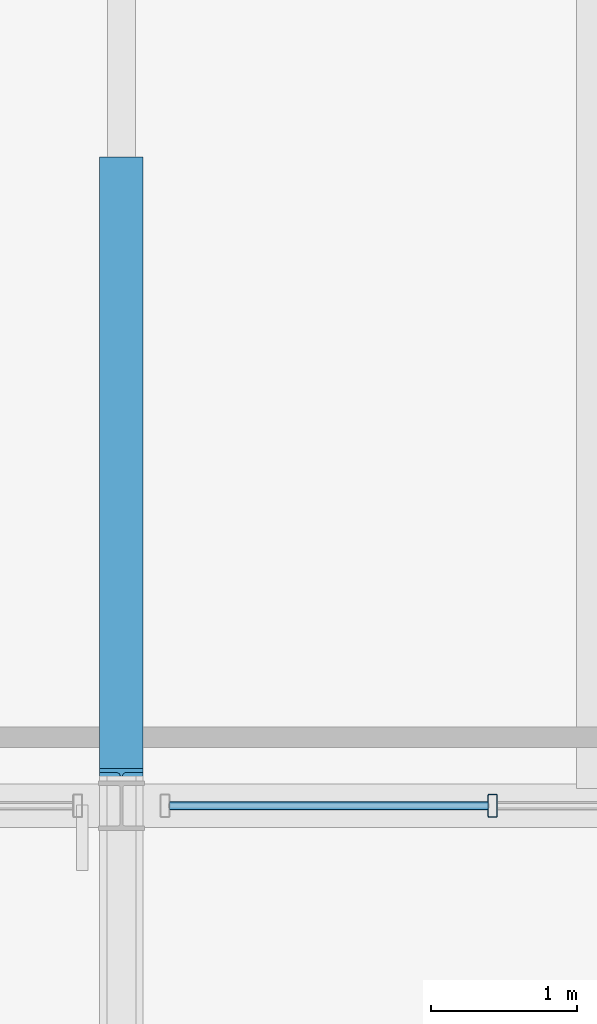
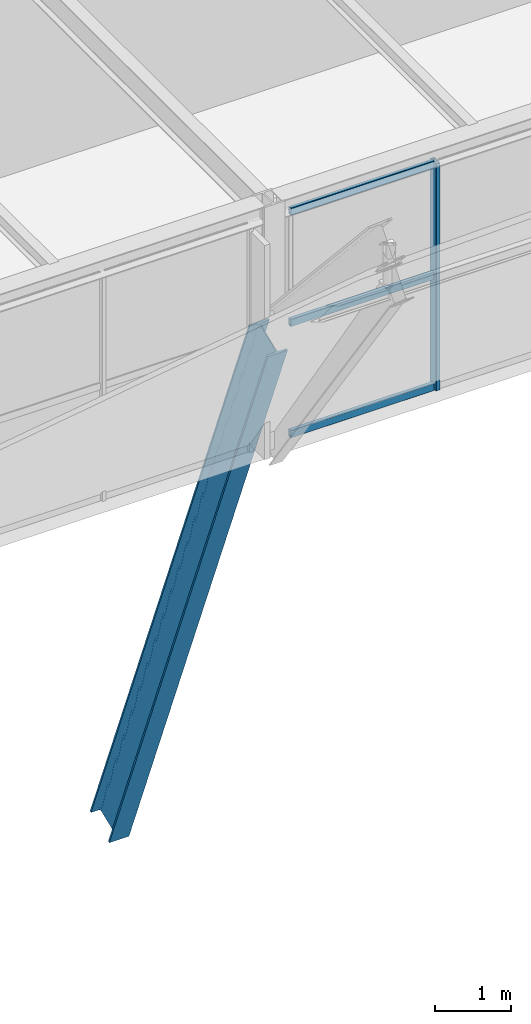
# One storey, part 79 of 126: 4 members, 1 beam, 1 element without a shape of its own.
"""IFC4 building model written with IfcOpenShell, lengths in metres."""

from ifc_helpers import new_model, si_unit, direction, frame, origin, origin_2d, place, context, subcontext, project, spatial, hollow_rectangle, i_section, extrude, material, material_profile, profile_set, type_object, element, aggregate, save


model = new_model("IFC4")

# Units and contexts
model_context = context("Model", 3, precision=1e-05, world=origin(), true_north=direction((0.0, 1.0)))
body_context = subcontext(model_context, "Body", "Model", "MODEL_VIEW")
ifc_project = project(units=[si_unit("LENGTHUNIT", "METRE"), si_unit("AREAUNIT", "SQUARE_METRE"), si_unit("VOLUMEUNIT", "CUBIC_METRE"), si_unit("PLANEANGLEUNIT", "RADIAN"), si_unit("MASSUNIT", "GRAM", prefix="KILO")], contexts=[model_context])

# Site, building, storey
site_placement = place(None, origin())
site = spatial("IfcSite", under=ifc_project, at=site_placement, CompositionType="ELEMENT")
building_placement = place(site_placement, origin())
building = spatial("IfcBuilding", under=site, at=building_placement, Name="Coralgate Yard Interchange", CompositionType="ELEMENT")
storey_placement = place(building_placement, frame((0.0, 0.0, 10.5)))
storey = spatial("IfcBuildingStorey", under=building, at=storey_placement, Name="L02", CompositionType="ELEMENT", Elevation=10.5)

# Beam
ifc_material_1 = material(Name="Yellow-ochre weather-coated structural steel S355J2", Category="steel")
ifc_material_profile_1 = material_profile(ifc_material_1, i_section(OverallWidth=0.300048828125, OverallDepth=0.550048828125, WebThickness=0.014892578125, FlangeThickness=0.029052734375, FilletRadius=0.027099609375, at=origin_2d()), Name="HEB 550")
ifc_profile_set_1 = profile_set([ifc_material_profile_1], Name="Yellow-ochre weather-coated structural steel S355J2")
beam_type = type_object("IfcBeamType", Name="BM-AR-2", PredefinedType="BEAM", material=ifc_profile_set_1)
beam_placement = place(storey_placement, frame((67.199951171875, 76.800048828125, 1.699951171875), z_axis=(0.0, 0.374462329793, -0.927242127799), x_axis=(-1.0, 0.0, 0.0)))
element("IfcBeam", 1, at=beam_placement, inside=storey, type_object=beam_type, Name="Yellow-ochre overarching steel arch AR-2 chord 14", PredefinedType="BEAM", context=body_context, shape_type="SweptSolid", body=[
    extrude(i_section(OverallWidth=0.300048828125, OverallDepth=0.550048828125, WebThickness=0.014892578125, FlangeThickness=0.029052734375, FilletRadius=0.027099609375, at=origin_2d()), origin(), (0.0, 0.0, 1.0), 11.216064453125),
])

# Curtain wall, members
ifc_material_2 = material(Name="Anodised coastal aluminium and solar-control low-E glass", Category="aluminium")
curtain_wall_type = type_object("IfcCurtainWallType", Name="CW-CW-L02-A", PredefinedType="NOTDEFINED", material=ifc_material_2)
curtain_wall_placement = place(storey_placement, origin())
curtain_wall = element("IfcCurtainWall", 2, at=curtain_wall_placement, inside=storey, type_object=curtain_wall_type, Name="L02 unitised curtain wall CW-L02-S-07-08", PredefinedType="NOTDEFINED")
ifc_material_3 = material(Name="Anodised coastal aluminium 6063-T6", Category="aluminium")
ifc_material_profile_2 = material_profile(ifc_material_3, hollow_rectangle(XDim=0.06494140625, YDim=0.159912109375, WallThickness=0.00390625, InnerFilletRadius=0.00390625, OuterFilletRadius=0.008056640625, at=origin_2d()), Name="ALU 65x160x4")
ifc_profile_set_2 = profile_set([ifc_material_profile_2], Name="Anodised coastal aluminium 6063-T6")
member_type_1 = type_object("IfcMemberType", Name="MB-MUL-160", PredefinedType="MULLION", material=ifc_profile_set_2)
member_1_placement = place(storey_placement, frame((69.75, 76.800048828125, 0.0), z_axis=(0.0, 0.0, 1.0), x_axis=(1.0, 0.0, 0.0)))
member_1 = element("IfcMember", 3, at=member_1_placement, type_object=member_type_1, Name="CW-L02-S-07-08 vertical mullion 4", PredefinedType="MULLION", context=body_context, shape_type="SweptSolid", body=[
    extrude(hollow_rectangle(XDim=0.06494140625, YDim=0.159912109375, WallThickness=0.00390625, InnerFilletRadius=0.00390625, OuterFilletRadius=0.008056640625, at=origin_2d()), origin(), (0.0, 0.0, 1.0), 3.659912109375),
])
ifc_material_profile_3 = material_profile(ifc_material_3, hollow_rectangle(XDim=0.06005859375, YDim=0.1201171875, WallThickness=0.00341796875, InnerFilletRadius=0.00341796875, OuterFilletRadius=0.007080078125, at=origin_2d()), Name="ALU 60x120x3.5")
ifc_profile_set_3 = profile_set([ifc_material_profile_3], Name="Anodised coastal aluminium 6063-T6")
member_type_2 = type_object("IfcMemberType", Name="MB-TRN-120", PredefinedType="USERDEFINED", material=ifc_profile_set_3)
member_2_placement = place(storey_placement, frame((69.719970703125, 76.800048828125, 0.034912109375), z_axis=(-1.0, 0.0, 0.0), x_axis=(0.0, -1.0, 0.0)))
member_2 = element("IfcMember", 4, at=member_2_placement, type_object=member_type_2, Name="CW-L02-S-07-08 horizontal transom 4-1", ObjectType="TRANSOM", PredefinedType="USERDEFINED", context=body_context, shape_type="SweptSolid", body=[
    extrude(hollow_rectangle(XDim=0.06005859375, YDim=0.1201171875, WallThickness=0.00341796875, InnerFilletRadius=0.00341796875, OuterFilletRadius=0.007080078125, at=origin_2d()), origin(), (0.0, 0.0, 1.0), 2.18994140625),
])
member_3_placement = place(storey_placement, frame((69.719970703125, 76.800048828125, 1.830078125), z_axis=(-1.0, 0.0, 0.0), x_axis=(0.0, -1.0, 0.0)))
member_3 = element("IfcMember", 5, at=member_3_placement, type_object=member_type_2, Name="CW-L02-S-07-08 horizontal transom 4-2", ObjectType="TRANSOM", PredefinedType="USERDEFINED", context=body_context, shape_type="SweptSolid", body=[
    extrude(hollow_rectangle(XDim=0.06005859375, YDim=0.1201171875, WallThickness=0.00341796875, InnerFilletRadius=0.00341796875, OuterFilletRadius=0.007080078125, at=origin_2d()), origin(), (0.0, 0.0, 1.0), 2.18994140625),
])
member_4_placement = place(storey_placement, frame((69.719970703125, 76.800048828125, 3.625), z_axis=(-1.0, 0.0, 0.0), x_axis=(0.0, -1.0, 0.0)))
member_4 = element("IfcMember", 6, at=member_4_placement, type_object=member_type_2, Name="CW-L02-S-07-08 horizontal transom 4-3", ObjectType="TRANSOM", PredefinedType="USERDEFINED", context=body_context, shape_type="SweptSolid", body=[
    extrude(hollow_rectangle(XDim=0.06005859375, YDim=0.1201171875, WallThickness=0.00341796875, InnerFilletRadius=0.00341796875, OuterFilletRadius=0.007080078125, at=origin_2d()), origin(), (0.0, 0.0, 1.0), 2.18994140625),
])
aggregate(curtain_wall, [member_1, member_2, member_3, member_4])

save(model, "model.ifc")
